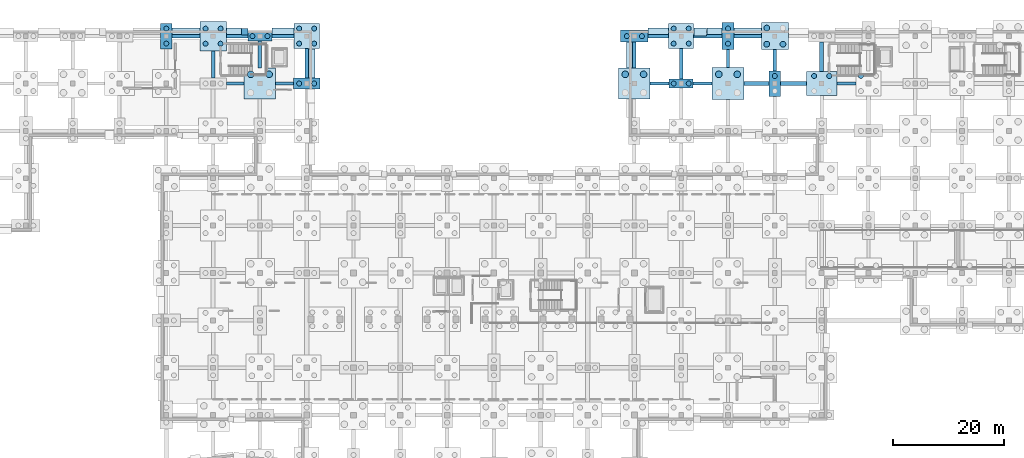
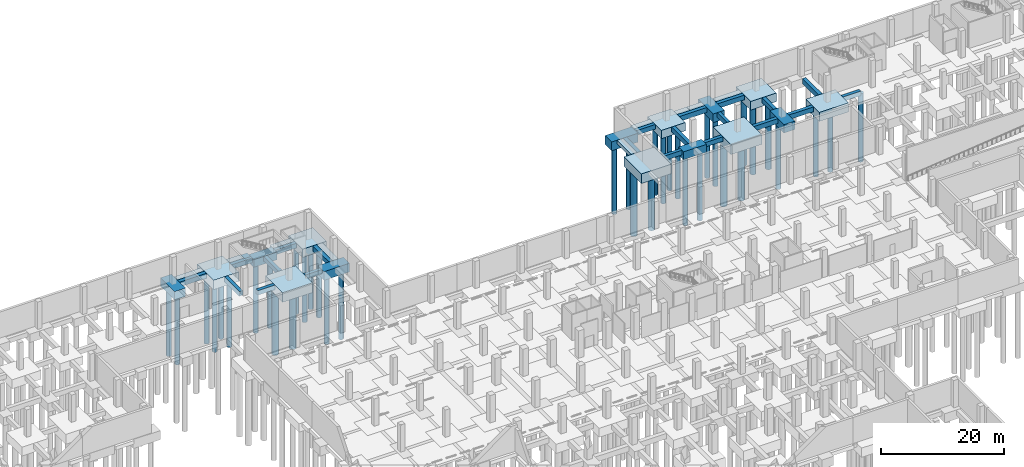
# One storey, part 21 of 34: 46 footings, 37 piles.
"""IFC4 building model written with IfcOpenShell, lengths in metres."""

import ifcopenshell
import ifcopenshell.guid

model = None  # the IFC model being written
_history = None  # IfcOwnerHistory: only IFC2X3 demands one
_inside = {}  # id of a spatial element -> (the spatial element, [elements in it])
_under = {}  # id of a project, library or spatial element -> (it, [spatial elements below it])
_declared = {}  # id of a project -> (the project, [libraries it declares])
_typed = {}  # id of a type object -> (the type object, [elements of that type])
_made_of = {}  # id of a material, layer set ... -> (it, [elements and type objects made of it])


def new_model(schema):
    """Start an empty IFC model of exactly this schema.

    Asked for "IFC4X3", IfcOpenShell would pick the latest addendum, in which some entities
    have other attributes; the version numbers below select the first issue.
    IFC2X3 requires an IfcOwnerHistory on every rooted entity: one is made here for all.
    """
    global model, _history
    if schema == "IFC4X3":
        model = ifcopenshell.file(schema_version=(4, 3, 0, 0))
    else:
        model = ifcopenshell.file(schema=schema)
    _inside.clear()
    _under.clear()
    _declared.clear()
    _typed.clear()
    _made_of.clear()
    _history = None
    if model.schema == "IFC2X3":
        org = make("IfcOrganization", Name="unknown")
        user = make(
            "IfcPersonAndOrganization",
            ThePerson=make("IfcPerson", FamilyName="unknown"),
            TheOrganization=org,
        )
        app = make(
            "IfcApplication",
            ApplicationDeveloper=org,
            Version="unknown",
            ApplicationFullName="unknown",
            ApplicationIdentifier="unknown",
        )
        _history = make(
            "IfcOwnerHistory",
            OwningUser=user,
            OwningApplication=app,
            ChangeAction="ADDED",
            CreationDate=0,
        )
    return model


def make(cls, **values):
    """One entity of the class cls with the attributes given. An attribute that is None is left unset."""
    return model.create_entity(
        cls, **{name: value for name, value in values.items() if value is not None}
    )


def rooted(cls, **values):
    """An entity with a GlobalId (a new one), such as an element, a storey or a relation."""
    return make(cls, GlobalId=ifcopenshell.guid.new(), OwnerHistory=_history, **values)


def si_unit(unit_type, name, prefix=None):
    """IfcSIUnit, for example si_unit("LENGTHUNIT", "METRE", prefix="MILLI")."""
    return make("IfcSIUnit", UnitType=unit_type, Prefix=prefix, Name=name)


def assignment(units):
    """IfcUnitAssignment: the units of a project."""
    return None if units is None else make("IfcUnitAssignment", Units=units)


def point(xyz):
    """IfcCartesianPoint."""
    return None if xyz is None else make("IfcCartesianPoint", Coordinates=xyz)


def direction(xyz):
    """IfcDirection."""
    return None if xyz is None else make("IfcDirection", DirectionRatios=xyz)


def frame(location, z_axis=None, x_axis=None):
    """IfcAxis2Placement3D, a coordinate frame: its origin and axes. An axis left out is left unset."""
    return make(
        "IfcAxis2Placement3D",
        Location=point(location),
        Axis=direction(z_axis),
        RefDirection=direction(x_axis),
    )


def frame_2d(location, x_axis=None):
    """IfcAxis2Placement2D, a coordinate frame in the plane: its origin and x axis."""
    return make(
        "IfcAxis2Placement2D", Location=point(location), RefDirection=direction(x_axis)
    )


def origin():
    """The frame at (0, 0, 0) with its axes left unset."""
    return frame((0.0, 0.0, 0.0))


def origin_2d():
    """The frame at (0, 0) in the plane with its x axis left unset."""
    return frame_2d((0.0, 0.0))


def place(relative_to, where):
    """IfcLocalPlacement: puts the frame where relative to a parent placement (None: the world)."""
    return make(
        "IfcLocalPlacement", PlacementRelTo=relative_to, RelativePlacement=where
    )


def context(
    kind, dimensions, precision=None, world=None, true_north=None, identifier=None
):
    """IfcGeometricRepresentationContext, for example the 3D "Model" context."""
    return make(
        "IfcGeometricRepresentationContext",
        ContextIdentifier=identifier,
        ContextType=kind,
        CoordinateSpaceDimension=dimensions,
        Precision=precision,
        WorldCoordinateSystem=world,
        TrueNorth=true_north,
    )


def subcontext(parent, identifier, kind, view, scale=None):
    """IfcGeometricRepresentationSubContext, for example "Body" below "Model"."""
    return make(
        "IfcGeometricRepresentationSubContext",
        ContextIdentifier=identifier,
        ContextType=kind,
        ParentContext=parent,
        TargetScale=scale,
        TargetView=view,
    )


def project(units=None, contexts=None):
    """IfcProject with its units and contexts."""
    return rooted(
        "IfcProject",
        Name="project",
        RepresentationContexts=contexts,
        UnitsInContext=assignment(units),
    )


def spatial(cls, under=None, at=None, **own):
    """A site, building, storey or space (cls), placed at a placement, below another one or the project."""
    s = rooted(cls, ObjectPlacement=at, **own)
    if under is not None:
        _under.setdefault(under.id(), (under, []))[1].append(s)
    return s


def profile(cls, at=None, kind="AREA", **sizes):
    """A parametric profile (cls). Its sizes go by their IFC names, for example OverallWidth=200.0."""
    return make(cls, ProfileType=kind, Position=at, **sizes)


def rectangle(**sizes):
    """IfcRectangleProfileDef."""
    return profile("IfcRectangleProfileDef", **sizes)


def circle(**sizes):
    """IfcCircleProfileDef."""
    return profile("IfcCircleProfileDef", **sizes)


def extrude(swept, where, along, depth):
    """IfcExtrudedAreaSolid: the profile swept, set in the frame where, extruded along a direction by depth."""
    return make(
        "IfcExtrudedAreaSolid",
        SweptArea=swept,
        Position=where,
        ExtrudedDirection=direction(along),
        Depth=depth,
    )


def shape(context_of_items, identifier, shape_type, items):
    """IfcShapeRepresentation: the items that make up one representation, for example the "Body"."""
    return make(
        "IfcShapeRepresentation",
        ContextOfItems=context_of_items,
        RepresentationIdentifier=identifier,
        RepresentationType=shape_type,
        Items=items,
    )


def material(Name=None, Category=None):
    """IfcMaterial."""
    return make("IfcMaterial", Name=Name, Category=Category)


def material_profile(
    of_material, cross_section, Name=None, Category=None, Priority=None
):
    """IfcMaterialProfile: a cross section and its material."""
    return make(
        "IfcMaterialProfile",
        Name=Name,
        Material=of_material,
        Profile=cross_section,
        Priority=Priority,
        Category=Category,
    )


def profile_set(profiles, Name=None, composite=None):
    """IfcMaterialProfileSet."""
    return make(
        "IfcMaterialProfileSet",
        Name=Name,
        MaterialProfiles=profiles,
        CompositeProfile=composite,
    )


def made_of(thing, what):
    """Note that an element or type object is made of a material, layer set ...; save() writes the relation."""
    if what is not None:
        _made_of.setdefault(what.id(), (what, []))[1].append(thing)
    return thing


def type_object(cls, material=None, **own):
    """A type object (cls), such as IfcWallType, which elements share."""
    return made_of(rooted(cls, **own), material)


def element(
    cls,
    number,
    at=None,
    inside=None,
    cuts=None,
    type_object=None,
    material=None,
    context=None,
    identifier="Body",
    shape_type=None,
    held_by="IfcProductDefinitionShape",
    body=None,
    shapes=None,
    **own,
):
    """One element of the class cls, such as IfcWall. Its Tag is "e" and its number.

    at: its placement. inside: the storey or other place that contains it. cuts: it is an
    opening in that element (IfcRelVoidsElement). A single representation is given by context,
    identifier, shape_type and body (its items); several are given by shapes. held_by: the class
    of the entity that holds the representations. save() writes the other relations.
    """
    e = rooted(cls, Tag="e%d" % number, ObjectPlacement=at, **own)
    if body is not None:
        shapes = [shape(context, identifier, shape_type, body)]
    if shapes is not None:
        e.Representation = make(held_by, Representations=shapes)
    if inside is not None:
        _inside.setdefault(inside.id(), (inside, []))[1].append(e)
    if cuts is not None:
        rooted(
            "IfcRelVoidsElement", RelatingBuildingElement=cuts, RelatedOpeningElement=e
        )
    if type_object is not None:
        _typed.setdefault(type_object.id(), (type_object, []))[1].append(e)
    return made_of(e, material)


def aggregate(whole, parts):
    """IfcRelAggregates: a whole, such as a stair, and the parts it consists of."""
    return rooted("IfcRelAggregates", RelatingObject=whole, RelatedObjects=parts)


def save(model, path):
    """Write the relations noted so far, then the file.

    IfcRelAggregates (storeys below a building ...), IfcRelContainedInSpatialStructure (elements
    in a storey), IfcRelDefinesByType, IfcRelAssociatesMaterial and IfcRelDeclares: one each for
    every whole, place, type object, material and project.
    """
    for whole, parts in _under.values():
        aggregate(whole, parts)
    for where, things in _inside.values():
        rooted(
            "IfcRelContainedInSpatialStructure",
            RelatedElements=things,
            RelatingStructure=where,
        )
    for kind, things in _typed.values():
        rooted("IfcRelDefinesByType", RelatedObjects=things, RelatingType=kind)
    for what, things in _made_of.values():
        rooted("IfcRelAssociatesMaterial", RelatedObjects=things, RelatingMaterial=what)
    for by, libraries in _declared.values():
        rooted("IfcRelDeclares", RelatingContext=by, RelatedDefinitions=libraries)
    model.write(path)


model = new_model("IFC4")

# Units and contexts
model_context = context("Model", 3, precision=1e-05, world=origin(), true_north=direction((0.0, 1.0)))
body_context = subcontext(model_context, "Body", "Model", "MODEL_VIEW")
ifc_project = project(units=[si_unit("LENGTHUNIT", "METRE"), si_unit("AREAUNIT", "SQUARE_METRE"), si_unit("VOLUMEUNIT", "CUBIC_METRE"), si_unit("PLANEANGLEUNIT", "RADIAN"), si_unit("MASSUNIT", "GRAM", prefix="KILO")], contexts=[model_context])

# Site, building, storey
site_placement = place(None, origin())
site = spatial("IfcSite", under=ifc_project, at=site_placement, CompositionType="ELEMENT")
building_placement = place(site_placement, origin())
building = spatial("IfcBuilding", under=site, at=building_placement, Name="Solvento Point Concert Hall", CompositionType="ELEMENT")
storey_placement = place(building_placement, frame((0.0, 0.0, -5.39990234375)))
storey = spatial("IfcBuildingStorey", under=building, at=storey_placement, Name="B01", CompositionType="ELEMENT", Elevation=-5.39990234375)

# Piles
ifc_material_1 = material(Name="Concrete C40/50", Category="concrete")
ifc_material_profile_1 = material_profile(ifc_material_1, circle(Radius=0.52490234375, at=origin_2d()), Name="BP-1050")
ifc_profile_set_1 = profile_set([ifc_material_profile_1], Name="Concrete C40/50")
pile_type_1 = type_object("IfcPileType", Name="BoredPile_1050", PredefinedType="BORED", material=ifc_profile_set_1)
for number, where, z_axis, x_axis, name in (
    (1, (156.949951171875, 134.550048828125, -1.6201171875), (0.0, 0.0, -1.0), (1.0, 0.0, 0.0), "Bored pile BoredPile_1050 #589"),
    (2, (159.85009765625, 134.550048828125, -1.6201171875), (0.0, 0.0, -1.0), (1.0, 0.0, 0.0), "Bored pile BoredPile_1050 #590"),
    (3, (156.949951171875, 137.449951171875, -1.6201171875), (0.0, 0.0, -1.0), (1.0, 0.0, 0.0), "Bored pile BoredPile_1050 #591"),
):
    element("IfcPile", number, at=place(storey_placement, frame(where, z_axis=z_axis, x_axis=x_axis)), inside=storey, type_object=pile_type_1, Name=name, PredefinedType="BORED", context=body_context, shape_type="SweptSolid", body=[
        extrude(circle(Radius=0.52490234375, at=origin_2d()), origin(), (0.0, 0.0, 1.0), 13.47998046875),
    ])
ifc_material_2 = material(Name="Concrete C40/50", Category="concrete")
ifc_material_profile_2 = material_profile(ifc_material_2, circle(Radius=0.60009765625, at=origin_2d()), Name="BP-1200")
ifc_profile_set_2 = profile_set([ifc_material_profile_2], Name="Concrete C40/50")
pile_type_2 = type_object("IfcPileType", Name="BoredPile_1200", PredefinedType="BORED", material=ifc_profile_set_2)
for number, where, z_axis, x_axis, name in (
    (4, (64.35009765625, 129.14990234375, -1.800048828125), (0.0, 0.0, -1.0), (1.0, 0.0, 0.0), "Bored pile BoredPile_1200 #255"),
    (5, (67.64990234375, 129.14990234375, -1.800048828125), (0.0, 0.0, -1.0), (1.0, 0.0, 0.0), "Bored pile BoredPile_1200 #256"),
    (6, (131.550048828125, 129.14990234375, -1.800048828125), (0.0, 0.0, -1.0), (1.0, 0.0, 0.0), "Bored pile BoredPile_1200 #471"),
    (7, (134.85009765625, 129.14990234375, -1.800048828125), (0.0, 0.0, -1.0), (1.0, 0.0, 0.0), "Bored pile BoredPile_1200 #472"),
):
    element("IfcPile", number, at=place(storey_placement, frame(where, z_axis=z_axis, x_axis=x_axis)), inside=storey, type_object=pile_type_2, Name=name, PredefinedType="BORED", context=body_context, shape_type="SweptSolid", body=[
        extrude(circle(Radius=0.60009765625, at=origin_2d()), origin(), (0.0, 0.0, 1.0), 13.300048828125),
    ])
for number, where, z_axis, x_axis, name in (
    (8, (148.35009765625, 129.14990234375, -1.85009765625), (0.0, 0.0, -1.0), (1.0, 0.0, 0.0), "Bored pile BoredPile_1200 #549"),
    (9, (151.64990234375, 129.14990234375, -1.85009765625), (0.0, 0.0, -1.0), (1.0, 0.0, 0.0), "Bored pile BoredPile_1200 #550"),
):
    element("IfcPile", number, at=place(storey_placement, frame(where, z_axis=z_axis, x_axis=x_axis)), inside=storey, type_object=pile_type_2, Name=name, PredefinedType="BORED", context=body_context, shape_type="SweptSolid", body=[
        extrude(circle(Radius=0.60009765625, at=origin_2d()), origin(), (0.0, 0.0, 1.0), 13.25),
    ])
ifc_material_3 = material(Name="Concrete C40/50", Category="concrete")
ifc_material_profile_3 = material_profile(ifc_material_3, circle(Radius=0.449951171875, at=origin_2d()), Name="BP-900")
ifc_profile_set_3 = profile_set([ifc_material_profile_3], Name="Concrete C40/50")
pile_type_3 = type_object("IfcPileType", Name="BoredPile_900", PredefinedType="BORED", material=ifc_profile_set_3)
for number, where, z_axis, x_axis, name in (
    (10, (49.199951171875, 134.64990234375, -1.56005859375), (0.0, 0.0, -1.0), (1.0, 0.0, 0.0), "Bored pile BoredPile_900 #167"),
    (11, (49.199951171875, 137.35009765625, -1.56005859375), (0.0, 0.0, -1.0), (1.0, 0.0, 0.0), "Bored pile BoredPile_900 #168"),
):
    element("IfcPile", number, at=place(storey_placement, frame(where, z_axis=z_axis, x_axis=x_axis)), inside=storey, type_object=pile_type_3, Name=name, PredefinedType="BORED", context=body_context, shape_type="SweptSolid", body=[
        extrude(circle(Radius=0.449951171875, at=origin_2d()), origin(), (0.0, 0.0, 1.0), 13.5400390625),
    ])
for number, where, z_axis, x_axis, name in (
    (12, (56.25, 134.64990234375, -1.760009765625), (0.0, 0.0, -1.0), (1.0, 0.0, 0.0), "Bored pile BoredPile_900 #211"),
    (13, (58.949951171875, 134.64990234375, -1.760009765625), (0.0, 0.0, -1.0), (1.0, 0.0, 0.0), "Bored pile BoredPile_900 #212"),
    (14, (56.25, 137.35009765625, -1.760009765625), (0.0, 0.0, -1.0), (1.0, 0.0, 0.0), "Bored pile BoredPile_900 #213"),
    (15, (58.949951171875, 137.35009765625, -1.760009765625), (0.0, 0.0, -1.0), (1.0, 0.0, 0.0), "Bored pile BoredPile_900 #214"),
):
    element("IfcPile", number, at=place(storey_placement, frame(where, z_axis=z_axis, x_axis=x_axis)), inside=storey, type_object=pile_type_3, Name=name, PredefinedType="BORED", context=body_context, shape_type="SweptSolid", body=[
        extrude(circle(Radius=0.449951171875, at=origin_2d()), origin(), (0.0, 0.0, 1.0), 13.340087890625),
    ])
for number, where, z_axis, x_axis, name in (
    (16, (64.64990234375, 136.0, -1.4501953125), (0.0, 0.0, -1.0), (1.0, 0.0, 0.0), "Bored pile BoredPile_900 #257"),
    (17, (67.35009765625, 136.0, -1.4501953125), (0.0, 0.0, -1.0), (1.0, 0.0, 0.0), "Bored pile BoredPile_900 #258"),
):
    element("IfcPile", number, at=place(storey_placement, frame(where, z_axis=z_axis, x_axis=x_axis)), inside=storey, type_object=pile_type_3, Name=name, PredefinedType="BORED", context=body_context, shape_type="SweptSolid", body=[
        extrude(circle(Radius=0.449951171875, at=origin_2d()), origin(), (0.0, 0.0, 1.0), 13.64990234375),
    ])
for number, where, z_axis, x_axis, name in (
    (18, (73.050048828125, 127.5, -1.60009765625), (0.0, 0.0, -1.0), (1.0, 0.0, 0.0), "Bored pile BoredPile_900 #293"),
    (19, (75.75, 127.5, -1.60009765625), (0.0, 0.0, -1.0), (1.0, 0.0, 0.0), "Bored pile BoredPile_900 #294"),
):
    element("IfcPile", number, at=place(storey_placement, frame(where, z_axis=z_axis, x_axis=x_axis)), inside=storey, type_object=pile_type_3, Name=name, PredefinedType="BORED", context=body_context, shape_type="SweptSolid", body=[
        extrude(circle(Radius=0.449951171875, at=origin_2d()), origin(), (0.0, 0.0, 1.0), 13.5),
    ])
for number, where, z_axis, x_axis, name in (
    (20, (73.050048828125, 134.64990234375, -1.550048828125), (0.0, 0.0, -1.0), (1.0, 0.0, 0.0), "Bored pile BoredPile_900 #295"),
    (21, (75.75, 134.64990234375, -1.550048828125), (0.0, 0.0, -1.0), (1.0, 0.0, 0.0), "Bored pile BoredPile_900 #296"),
    (22, (73.050048828125, 137.35009765625, -1.550048828125), (0.0, 0.0, -1.0), (1.0, 0.0, 0.0), "Bored pile BoredPile_900 #297"),
    (23, (75.75, 137.35009765625, -1.550048828125), (0.0, 0.0, -1.0), (1.0, 0.0, 0.0), "Bored pile BoredPile_900 #298"),
):
    element("IfcPile", number, at=place(storey_placement, frame(where, z_axis=z_axis, x_axis=x_axis)), inside=storey, type_object=pile_type_3, Name=name, PredefinedType="BORED", context=body_context, shape_type="SweptSolid", body=[
        extrude(circle(Radius=0.449951171875, at=origin_2d()), origin(), (0.0, 0.0, 1.0), 13.550048828125),
    ])
for number, where, z_axis, x_axis, name in (
    (24, (131.85009765625, 136.0, -1.650146484375), (0.0, 0.0, -1.0), (1.0, 0.0, 0.0), "Bored pile BoredPile_900 #473"),
    (25, (134.550048828125, 136.0, -1.650146484375), (0.0, 0.0, -1.0), (1.0, 0.0, 0.0), "Bored pile BoredPile_900 #474"),
):
    element("IfcPile", number, at=place(storey_placement, frame(where, z_axis=z_axis, x_axis=x_axis)), inside=storey, type_object=pile_type_3, Name=name, PredefinedType="BORED", context=body_context, shape_type="SweptSolid", body=[
        extrude(circle(Radius=0.449951171875, at=origin_2d()), origin(), (0.0, 0.0, 1.0), 13.449951171875),
    ])
for number, where, z_axis, x_axis, name in (
    (26, (140.25, 127.5, -1.4501953125), (0.0, 0.0, -1.0), (1.0, 0.0, 0.0), "Bored pile BoredPile_900 #509"),
    (27, (142.949951171875, 127.5, -1.4501953125), (0.0, 0.0, -1.0), (1.0, 0.0, 0.0), "Bored pile BoredPile_900 #510"),
):
    element("IfcPile", number, at=place(storey_placement, frame(where, z_axis=z_axis, x_axis=x_axis)), inside=storey, type_object=pile_type_3, Name=name, PredefinedType="BORED", context=body_context, shape_type="SweptSolid", body=[
        extrude(circle(Radius=0.449951171875, at=origin_2d()), origin(), (0.0, 0.0, 1.0), 13.64990234375),
    ])
for number, where, z_axis, x_axis, name in (
    (28, (140.25, 134.64990234375, -1.550048828125), (0.0, 0.0, -1.0), (1.0, 0.0, 0.0), "Bored pile BoredPile_900 #511"),
    (29, (142.949951171875, 134.64990234375, -1.550048828125), (0.0, 0.0, -1.0), (1.0, 0.0, 0.0), "Bored pile BoredPile_900 #512"),
    (30, (140.25, 137.35009765625, -1.550048828125), (0.0, 0.0, -1.0), (1.0, 0.0, 0.0), "Bored pile BoredPile_900 #513"),
    (31, (142.949951171875, 137.35009765625, -1.550048828125), (0.0, 0.0, -1.0), (1.0, 0.0, 0.0), "Bored pile BoredPile_900 #514"),
):
    element("IfcPile", number, at=place(storey_placement, frame(where, z_axis=z_axis, x_axis=x_axis)), inside=storey, type_object=pile_type_3, Name=name, PredefinedType="BORED", context=body_context, shape_type="SweptSolid", body=[
        extrude(circle(Radius=0.449951171875, at=origin_2d()), origin(), (0.0, 0.0, 1.0), 13.550048828125),
    ])
for number, where, z_axis, x_axis, name in (
    (32, (150.0, 134.64990234375, -1.6201171875), (0.0, 0.0, -1.0), (1.0, 0.0, 0.0), "Bored pile BoredPile_900 #551"),
    (33, (150.0, 137.35009765625, -1.6201171875), (0.0, 0.0, -1.0), (1.0, 0.0, 0.0), "Bored pile BoredPile_900 #552"),
):
    element("IfcPile", number, at=place(storey_placement, frame(where, z_axis=z_axis, x_axis=x_axis)), inside=storey, type_object=pile_type_3, Name=name, PredefinedType="BORED", context=body_context, shape_type="SweptSolid", body=[
        extrude(circle(Radius=0.449951171875, at=origin_2d()), origin(), (0.0, 0.0, 1.0), 13.47998046875),
    ])
pile_1_placement = place(storey_placement, frame((158.39990234375, 128.85009765625, -1.56005859375), z_axis=(0.0, 0.0, -1.0), x_axis=(1.0, 0.0, 0.0)))
element("IfcPile", 34, at=pile_1_placement, inside=storey, type_object=pile_type_3, Name="Bored pile BoredPile_900 #588", PredefinedType="BORED", context=body_context, shape_type="SweptSolid", body=[
    extrude(circle(Radius=0.449951171875, at=origin_2d()), origin(), (0.0, 0.0, 1.0), 13.5400390625),
])
for number, where, z_axis, x_axis, name in (
    (35, (165.449951171875, 128.85009765625, -1.68017578125), (0.0, 0.0, -1.0), (1.0, 0.0, 0.0), "Bored pile BoredPile_900 #627"),
    (36, (168.14990234375, 128.85009765625, -1.68017578125), (0.0, 0.0, -1.0), (1.0, 0.0, 0.0), "Bored pile BoredPile_900 #628"),
):
    element("IfcPile", number, at=place(storey_placement, frame(where, z_axis=z_axis, x_axis=x_axis)), inside=storey, type_object=pile_type_3, Name=name, PredefinedType="BORED", context=body_context, shape_type="SweptSolid", body=[
        extrude(circle(Radius=0.449951171875, at=origin_2d()), origin(), (0.0, 0.0, 1.0), 13.419921875),
    ])
pile_2_placement = place(storey_placement, frame((173.85009765625, 128.85009765625, -1.550048828125), z_axis=(0.0, 0.0, -1.0), x_axis=(1.0, 0.0, 0.0)))
element("IfcPile", 37, at=pile_2_placement, inside=storey, type_object=pile_type_3, Name="Bored pile BoredPile_900 #657", PredefinedType="BORED", context=body_context, shape_type="SweptSolid", body=[
    extrude(circle(Radius=0.449951171875, at=origin_2d()), origin(), (0.0, 0.0, 1.0), 13.550048828125),
])

# Footings
ifc_material_4 = material(Name="Concrete C40/50", Category="concrete")
footing_type_1 = type_object("IfcFootingType", Name="PileCap_2A", PredefinedType="PILE_CAP", material=ifc_material_4)
for number, where, z_axis, x_axis, name in (
    (38, (66.0, 136.0, -1.55029296875), (0.0, 0.0, 1.0), (1.0, 0.0, 0.0), "Pile cap PC-2A at G-09-S"),
    (39, (141.60009765625, 127.5, -1.55029296875), (0.0, 0.0, 1.0), (1.0, 0.0, 0.0), "Pile cap PC-2A at G-18-R"),
):
    element("IfcFooting", number, at=place(storey_placement, frame(where, z_axis=z_axis, x_axis=x_axis)), inside=storey, type_object=footing_type_1, Name=name, PredefinedType="PILE_CAP", context=body_context, shape_type="SweptSolid", body=[
        extrude(rectangle(XDim=4.300048828125, YDim=1.64990234375, at=origin_2d()), origin(), (0.0, 0.0, 1.0), 1.550048828125),
    ])
ifc_material_5 = material(Name="Concrete C40/50", Category="concrete")
footing_type_2 = type_object("IfcFootingType", Name="PileCap_2G", PredefinedType="PILE_CAP", material=ifc_material_5)
footing_1_placement = place(storey_placement, frame((74.39990234375, 127.5, -1.7001953125), z_axis=(0.0, 0.0, 1.0), x_axis=(1.0, 0.0, 0.0)))
element("IfcFooting", 40, at=footing_1_placement, inside=storey, type_object=footing_type_2, Name="Pile cap PC-2G at G-10-R", PredefinedType="PILE_CAP", context=body_context, shape_type="SweptSolid", body=[
    extrude(rectangle(XDim=4.780029296875, YDim=2.02001953125, at=origin_2d()), origin(), (0.0, 0.0, 1.0), 1.699951171875),
])
ifc_material_6 = material(Name="Concrete C40/50", Category="concrete")
footing_type_3 = type_object("IfcFootingType", Name="PileCap_2H", PredefinedType="PILE_CAP", material=ifc_material_6)
footing_2_placement = place(storey_placement, frame((150.0, 136.0, -1.72021484375), z_axis=(0.0, 0.0, 1.0), x_axis=(1.0, 0.0, 0.0)))
element("IfcFooting", 41, at=footing_2_placement, inside=storey, type_object=footing_type_3, Name="Pile cap PC-2H at G-19-S", PredefinedType="PILE_CAP", context=body_context, shape_type="SweptSolid", body=[
    extrude(rectangle(XDim=2.080078125, YDim=4.860107421875, at=origin_2d()), origin(), (0.0, 0.0, 1.0), 1.719970703125),
])
ifc_material_7 = material(Name="Concrete C40/50", Category="concrete")
footing_type_4 = type_object("IfcFootingType", Name="PileCap_2J", PredefinedType="PILE_CAP", material=ifc_material_7)
footing_3_placement = place(storey_placement, frame((133.199951171875, 136.0, -1.75), z_axis=(0.0, 0.0, 1.0), x_axis=(1.0, 0.0, 0.0)))
element("IfcFooting", 42, at=footing_3_placement, inside=storey, type_object=footing_type_4, Name="Pile cap PC-2J at G-17-S", PredefinedType="PILE_CAP", context=body_context, shape_type="SweptSolid", body=[
    extrude(rectangle(XDim=4.93994140625, YDim=2.139892578125, at=origin_2d()), origin(), (0.0, 0.0, 1.0), 1.75),
])
ifc_material_8 = material(Name="Concrete C40/50", Category="concrete")
footing_type_5 = type_object("IfcFootingType", Name="PileCap_2P", PredefinedType="PILE_CAP", material=ifc_material_8)
for number, where, z_axis, x_axis, name in (
    (43, (49.199951171875, 136.0, -1.66015625), (0.0, 0.0, 1.0), (1.0, 0.0, 0.0), "Pile cap PC-2P at G-07-S"),
    (44, (158.39990234375, 127.5, -1.66015625), (0.0, 0.0, 1.0), (1.0, 0.0, 0.0), "Pile cap PC-2P at G-20-R"),
):
    element("IfcFooting", number, at=place(storey_placement, frame(where, z_axis=z_axis, x_axis=x_axis)), inside=storey, type_object=footing_type_5, Name=name, PredefinedType="PILE_CAP", context=body_context, shape_type="SweptSolid", body=[
        extrude(rectangle(XDim=2.050048828125, YDim=4.580078125, at=origin_2d()), origin(), (0.0, 0.0, 1.0), 1.659912109375),
    ])
ifc_material_9 = material(Name="Concrete C40/50", Category="concrete")
footing_type_6 = type_object("IfcFootingType", Name="PileCap_4B", PredefinedType="PILE_CAP", material=ifc_material_9)
for number, where, z_axis, x_axis, name in (
    (45, (74.39990234375, 136.0, -1.650146484375), (0.0, 0.0, 1.0), (1.0, 0.0, 0.0), "Pile cap PC-4B at G-10-S"),
    (46, (141.60009765625, 136.0, -1.650146484375), (0.0, 0.0, 1.0), (1.0, 0.0, 0.0), "Pile cap PC-4B at G-18-S"),
):
    element("IfcFooting", number, at=place(storey_placement, frame(where, z_axis=z_axis, x_axis=x_axis)), inside=storey, type_object=footing_type_6, Name=name, PredefinedType="PILE_CAP", context=body_context, shape_type="SweptSolid", body=[
        extrude(rectangle(XDim=4.5, YDim=4.5, at=origin_2d()), origin(), (0.0, 0.0, 1.0), 1.64990234375),
    ])
ifc_material_10 = material(Name="Concrete C40/50", Category="concrete")
footing_type_7 = type_object("IfcFootingType", Name="PileCap_4C", PredefinedType="PILE_CAP", material=ifc_material_10)
footing_4_placement = place(storey_placement, frame((158.39990234375, 136.0, -1.72021484375), z_axis=(0.0, 0.0, 1.0), x_axis=(1.0, 0.0, 0.0)))
element("IfcFooting", 47, at=footing_4_placement, inside=storey, type_object=footing_type_7, Name="Pile cap PC-4C at G-20-S", PredefinedType="PILE_CAP", context=body_context, shape_type="SweptSolid", body=[
    extrude(rectangle(XDim=4.820068359375, YDim=4.820068359375, at=origin_2d()), origin(), (0.0, 0.0, 1.0), 1.719970703125),
])
ifc_material_11 = material(Name="Concrete C40/50", Category="concrete")
footing_type_8 = type_object("IfcFootingType", Name="PileCap_4G", PredefinedType="PILE_CAP", material=ifc_material_11)
for number, where, z_axis, x_axis, name in (
    (48, (66.0, 127.5, -1.900146484375), (0.0, 0.0, 1.0), (1.0, 0.0, 0.0), "Pile cap PC-4G at G-09-R"),
    (49, (133.199951171875, 127.5, -1.900146484375), (0.0, 0.0, 1.0), (1.0, 0.0, 0.0), "Pile cap PC-4G at G-17-R"),
):
    element("IfcFooting", number, at=place(storey_placement, frame(where, z_axis=z_axis, x_axis=x_axis)), inside=storey, type_object=footing_type_8, Name=name, PredefinedType="PILE_CAP", context=body_context, shape_type="SweptSolid", body=[
        extrude(rectangle(XDim=5.6201171875, YDim=5.6201171875, at=origin_2d()), origin(), (0.0, 0.0, 1.0), 1.89990234375),
    ])
ifc_material_12 = material(Name="Concrete C40/50", Category="concrete")
footing_type_9 = type_object("IfcFootingType", Name="PileCap_4H", PredefinedType="PILE_CAP", material=ifc_material_12)
footing_5_placement = place(storey_placement, frame((150.0, 127.5, -1.9501953125), z_axis=(0.0, 0.0, 1.0), x_axis=(1.0, 0.0, 0.0)))
element("IfcFooting", 50, at=footing_5_placement, inside=storey, type_object=footing_type_9, Name="Pile cap PC-4H at G-19-R", PredefinedType="PILE_CAP", context=body_context, shape_type="SweptSolid", body=[
    extrude(rectangle(XDim=5.800048828125, YDim=5.800048828125, at=origin_2d()), origin(), (0.0, 0.0, 1.0), 1.949951171875),
])
ifc_material_13 = material(Name="Concrete C40/50", Category="concrete")
footing_type_10 = type_object("IfcFootingType", Name="PileCap_4J", PredefinedType="PILE_CAP", material=ifc_material_13)
footing_6_placement = place(storey_placement, frame((166.800048828125, 127.5, -1.7802734375), z_axis=(0.0, 0.0, 1.0), x_axis=(1.0, 0.0, 0.0)))
element("IfcFooting", 51, at=footing_6_placement, inside=storey, type_object=footing_type_10, Name="Pile cap PC-4J at G-21-R", PredefinedType="PILE_CAP", context=body_context, shape_type="SweptSolid", body=[
    extrude(rectangle(XDim=5.4599609375, YDim=4.360107421875, at=origin_2d()), origin(), (0.0, 0.0, 1.0), 1.780029296875),
])
ifc_material_14 = material(Name="Concrete C40/50", Category="concrete")
footing_type_11 = type_object("IfcFootingType", Name="PileCap_4M", PredefinedType="PILE_CAP", material=ifc_material_14)
footing_7_placement = place(storey_placement, frame((57.60009765625, 136.0, -1.8603515625), z_axis=(0.0, 0.0, 1.0), x_axis=(1.0, 0.0, 0.0)))
element("IfcFooting", 52, at=footing_7_placement, inside=storey, type_object=footing_type_11, Name="Pile cap PC-4M at G-08-S", PredefinedType="PILE_CAP", context=body_context, shape_type="SweptSolid", body=[
    extrude(rectangle(XDim=4.739990234375, YDim=5.300048828125, at=origin_2d()), origin(), (0.0, 0.0, 1.0), 1.860107421875),
])
ifc_material_15 = material(Name="Concrete C40/50", Category="concrete")
footing_type_12 = type_object("IfcFootingType", Name="StripFooting_1400x700", PredefinedType="STRIP_FOOTING", material=ifc_material_15)
footing_8_placement = place(storey_placement, frame((52.7275390625, 136.7548828125, -0.7001953125), z_axis=(0.0, 0.0, 1.0), x_axis=(1.0, 0.0, 0.0)))
element("IfcFooting", 53, at=footing_8_placement, inside=storey, type_object=footing_type_12, Name="Strip footing SF-02", PredefinedType="STRIP_FOOTING", context=body_context, shape_type="SweptSolid", body=[
    extrude(rectangle(XDim=4.985107421875, YDim=1.39990234375, at=origin_2d()), origin(), (0.0, 0.0, 1.0), 0.699951171875),
])
footing_9_placement = place(storey_placement, frame((61.316650390625, 136.7548828125, -0.7001953125), z_axis=(0.0, 0.0, 1.0), x_axis=(1.0, 0.0, 0.0)))
element("IfcFooting", 54, at=footing_9_placement, inside=storey, type_object=footing_type_12, Name="Strip footing SF-02", PredefinedType="STRIP_FOOTING", context=body_context, shape_type="SweptSolid", body=[
    extrude(rectangle(XDim=2.67333984375, YDim=1.39990234375, at=origin_2d()), origin(), (0.0, 0.0, 1.0), 0.699951171875),
])
footing_10_placement = place(storey_placement, frame((63.251708984375, 136.7548828125, -0.7001953125), z_axis=(0.0, 0.0, 1.0), x_axis=(1.0, 0.0, 0.0)))
element("IfcFooting", 55, at=footing_10_placement, inside=storey, type_object=footing_type_12, Name="Strip footing SF-02", PredefinedType="STRIP_FOOTING", context=body_context, shape_type="SweptSolid", body=[
    extrude(rectangle(XDim=1.1767578125, YDim=1.1767578125, at=origin_2d()), origin(), (0.0, 0.0, 1.0), 0.699951171875),
])
footing_11_placement = place(storey_placement, frame((70.14990234375, 136.7548828125, -0.7001953125), z_axis=(0.0, 0.0, 1.0), x_axis=(1.0, 0.0, 0.0)))
element("IfcFooting", 56, at=footing_11_placement, inside=storey, type_object=footing_type_12, Name="Strip footing SF-02", PredefinedType="STRIP_FOOTING", context=body_context, shape_type="SweptSolid", body=[
    extrude(rectangle(XDim=3.97998046875, YDim=1.39990234375, at=origin_2d()), origin(), (0.0, 0.0, 1.0), 0.699951171875),
])
footing_12_placement = place(storey_placement, frame((75.155029296875, 131.1298828125, -0.7001953125), z_axis=(0.0, 0.0, 1.0), x_axis=(0.0, -1.0, 0.0)))
element("IfcFooting", 57, at=footing_12_placement, inside=storey, type_object=footing_type_12, Name="Strip footing SF-02", PredefinedType="STRIP_FOOTING", context=body_context, shape_type="SweptSolid", body=[
    extrude(rectangle(XDim=5.219970703125, YDim=1.39990234375, at=origin_2d()), origin(), (0.0, 0.0, 1.0), 0.699951171875),
])
footing_13_placement = place(storey_placement, frame((132.445068359375, 132.6201171875, -0.7001953125), z_axis=(0.0, 0.0, 1.0), x_axis=(0.0, 1.0, 0.0)))
element("IfcFooting", 58, at=footing_13_placement, inside=storey, type_object=footing_type_12, Name="Strip footing SF-02", PredefinedType="STRIP_FOOTING", context=body_context, shape_type="SweptSolid", body=[
    extrude(rectangle(XDim=4.60009765625, YDim=1.39990234375, at=origin_2d()), origin(), (0.0, 0.0, 1.0), 0.699951171875),
])
footing_14_placement = place(storey_placement, frame((137.510009765625, 136.7548828125, -0.7001953125), z_axis=(0.0, 0.0, 1.0), x_axis=(1.0, 0.0, 0.0)))
element("IfcFooting", 59, at=footing_14_placement, inside=storey, type_object=footing_type_12, Name="Strip footing SF-02", PredefinedType="STRIP_FOOTING", context=body_context, shape_type="SweptSolid", body=[
    extrude(rectangle(XDim=3.659912109375, YDim=1.39990234375, at=origin_2d()), origin(), (0.0, 0.0, 1.0), 0.699951171875),
])
footing_15_placement = place(storey_placement, frame((145.021484375, 136.7548828125, -0.7001953125), z_axis=(0.0, 0.0, 1.0), x_axis=(1.0, 0.0, 0.0)))
element("IfcFooting", 60, at=footing_15_placement, inside=storey, type_object=footing_type_12, Name="Strip footing SF-02", PredefinedType="STRIP_FOOTING", context=body_context, shape_type="SweptSolid", body=[
    extrude(rectangle(XDim=2.3232421875, YDim=1.39990234375, at=origin_2d()), origin(), (0.0, 0.0, 1.0), 0.699951171875),
])
footing_16_placement = place(storey_placement, frame((147.57177734375, 136.7548828125, -0.7001953125), z_axis=(0.0, 0.0, 1.0), x_axis=(1.0, 0.0, 0.0)))
element("IfcFooting", 61, at=footing_16_placement, inside=storey, type_object=footing_type_12, Name="Strip footing SF-02", PredefinedType="STRIP_FOOTING", context=body_context, shape_type="SweptSolid", body=[
    extrude(rectangle(XDim=2.756591796875, YDim=1.39990234375, at=origin_2d()), origin(), (0.0, 0.0, 1.0), 0.699951171875),
])
footing_17_placement = place(storey_placement, frame((153.514892578125, 136.7548828125, -0.7001953125), z_axis=(0.0, 0.0, 1.0), x_axis=(1.0, 0.0, 0.0)))
element("IfcFooting", 62, at=footing_17_placement, inside=storey, type_object=footing_type_12, Name="Strip footing SF-02", PredefinedType="STRIP_FOOTING", context=body_context, shape_type="SweptSolid", body=[
    extrude(rectangle(XDim=4.929931640625, YDim=1.39990234375, at=origin_2d()), origin(), (0.0, 0.0, 1.0), 0.699951171875),
])
ifc_material_16 = material(Name="Concrete C40/50", Category="concrete")
footing_type_13 = type_object("IfcFootingType", Name="TieBeam_600x900", PredefinedType="FOOTING_BEAM", material=ifc_material_16)
for number, where, z_axis, x_axis, name in (
    (63, (61.590087890625, 127.5, -0.900146484375), (0.0, 0.0, 1.0), (1.0, 0.0, 0.0), "Seismic tie beam GB-01"),
    (64, (70.409912109375, 127.5, -0.900146484375), (0.0, 0.0, 1.0), (1.0, 0.0, 0.0), "Seismic tie beam GB-01"),
):
    element("IfcFooting", number, at=place(storey_placement, frame(where, z_axis=z_axis, x_axis=x_axis)), inside=storey, type_object=footing_type_13, Name=name, PredefinedType="FOOTING_BEAM", context=body_context, shape_type="SweptSolid", body=[
        extrude(rectangle(XDim=3.199951171875, YDim=0.60009765625, at=origin_2d()), origin(), (0.0, 0.0, 1.0), 0.89990234375),
    ])
footing_18_placement = place(storey_placement, frame((137.72998046875, 127.5, -0.900146484375), z_axis=(0.0, 0.0, 1.0), x_axis=(1.0, 0.0, 0.0)))
element("IfcFooting", 65, at=footing_18_placement, inside=storey, type_object=footing_type_13, Name="Seismic tie beam GB-01", PredefinedType="FOOTING_BEAM", context=body_context, shape_type="SweptSolid", body=[
    extrude(rectangle(XDim=3.43994140625, YDim=0.60009765625, at=origin_2d()), origin(), (0.0, 0.0, 1.0), 0.89990234375),
])
footing_19_placement = place(storey_placement, frame((145.425048828125, 127.5, -0.900146484375), z_axis=(0.0, 0.0, 1.0), x_axis=(1.0, 0.0, 0.0)))
element("IfcFooting", 66, at=footing_19_placement, inside=storey, type_object=footing_type_13, Name="Seismic tie beam GB-01", PredefinedType="FOOTING_BEAM", context=body_context, shape_type="SweptSolid", body=[
    extrude(rectangle(XDim=3.35009765625, YDim=0.60009765625, at=origin_2d()), origin(), (0.0, 0.0, 1.0), 0.89990234375),
])
footing_20_placement = place(storey_placement, frame((171.239990234375, 127.5, -0.900146484375), z_axis=(0.0, 0.0, 1.0), x_axis=(1.0, 0.0, 0.0)))
element("IfcFooting", 67, at=footing_20_placement, inside=storey, type_object=footing_type_13, Name="Seismic tie beam GB-01", PredefinedType="FOOTING_BEAM", context=body_context, shape_type="SweptSolid", body=[
    extrude(rectangle(XDim=3.419921875, YDim=0.60009765625, at=origin_2d()), origin(), (0.0, 0.0, 1.0), 0.89990234375),
])
footing_21_placement = place(storey_placement, frame((150.0, 131.985107421875, -0.900146484375), z_axis=(0.0, 0.0, 1.0), x_axis=(0.0, 1.0, 0.0)))
element("IfcFooting", 68, at=footing_21_placement, inside=storey, type_object=footing_type_13, Name="Seismic tie beam GB-01", PredefinedType="FOOTING_BEAM", context=body_context, shape_type="SweptSolid", body=[
    extrude(rectangle(XDim=3.169921875, YDim=0.60009765625, at=origin_2d()), origin(), (0.0, 0.0, 1.0), 0.89990234375),
])
ifc_material_17 = material(Name="Concrete C40/50", Category="concrete")
footing_type_14 = type_object("IfcFootingType", Name="TieBeam_620x920", PredefinedType="FOOTING_BEAM", material=ifc_material_17)
footing_22_placement = place(storey_placement, frame((61.909912109375, 136.0, -0.920166015625), z_axis=(0.0, 0.0, 1.0), x_axis=(1.0, 0.0, 0.0)))
element("IfcFooting", 69, at=footing_22_placement, inside=storey, type_object=footing_type_14, Name="Seismic tie beam GB-02", PredefinedType="FOOTING_BEAM", context=body_context, shape_type="SweptSolid", body=[
    extrude(rectangle(XDim=3.8798828125, YDim=0.6201171875, at=origin_2d()), origin(), (0.0, 0.0, 1.0), 0.919921875),
])
footing_23_placement = place(storey_placement, frame((70.14990234375, 136.0, -0.920166015625), z_axis=(0.0, 0.0, 1.0), x_axis=(1.0, 0.0, 0.0)))
element("IfcFooting", 70, at=footing_23_placement, inside=storey, type_object=footing_type_14, Name="Seismic tie beam GB-02", PredefinedType="FOOTING_BEAM", context=body_context, shape_type="SweptSolid", body=[
    extrude(rectangle(XDim=4.0, YDim=0.6201171875, at=origin_2d()), origin(), (0.0, 0.0, 1.0), 0.919921875),
])
footing_24_placement = place(storey_placement, frame((137.510009765625, 136.0, -0.920166015625), z_axis=(0.0, 0.0, 1.0), x_axis=(1.0, 0.0, 0.0)))
element("IfcFooting", 71, at=footing_24_placement, inside=storey, type_object=footing_type_14, Name="Seismic tie beam GB-02", PredefinedType="FOOTING_BEAM", context=body_context, shape_type="SweptSolid", body=[
    extrude(rectangle(XDim=3.679931640625, YDim=0.6201171875, at=origin_2d()), origin(), (0.0, 0.0, 1.0), 0.919921875),
])
footing_25_placement = place(storey_placement, frame((158.39990234375, 131.68994140625, -0.920166015625), z_axis=(0.0, 0.0, 1.0), x_axis=(0.0, 1.0, 0.0)))
element("IfcFooting", 72, at=footing_25_placement, inside=storey, type_object=footing_type_14, Name="Seismic tie beam GB-02", PredefinedType="FOOTING_BEAM", context=body_context, shape_type="SweptSolid", body=[
    extrude(rectangle(XDim=3.800048828125, YDim=0.6201171875, at=origin_2d()), origin(), (0.0, 0.0, 1.0), 0.919921875),
])
ifc_material_18 = material(Name="Concrete C40/50", Category="concrete")
footing_type_15 = type_object("IfcFootingType", Name="TieBeam_650x950", PredefinedType="FOOTING_BEAM", material=ifc_material_18)
footing_26_placement = place(storey_placement, frame((155.137451171875, 127.5, -0.9501953125), z_axis=(0.0, 0.0, 1.0), x_axis=(1.0, 0.0, 0.0)))
element("IfcFooting", 73, at=footing_26_placement, inside=storey, type_object=footing_type_15, Name="Seismic tie beam GB-03", PredefinedType="FOOTING_BEAM", context=body_context, shape_type="SweptSolid", body=[
    extrude(rectangle(XDim=4.47509765625, YDim=0.64990234375, at=origin_2d()), origin(), (0.0, 0.0, 1.0), 0.949951171875),
])
footing_27_placement = place(storey_placement, frame((161.74755859375, 127.5, -0.9501953125), z_axis=(0.0, 0.0, 1.0), x_axis=(1.0, 0.0, 0.0)))
element("IfcFooting", 74, at=footing_27_placement, inside=storey, type_object=footing_type_15, Name="Seismic tie beam GB-03", PredefinedType="FOOTING_BEAM", context=body_context, shape_type="SweptSolid", body=[
    extrude(rectangle(XDim=4.64501953125, YDim=0.64990234375, at=origin_2d()), origin(), (0.0, 0.0, 1.0), 0.949951171875),
])
footing_28_placement = place(storey_placement, frame((153.514892578125, 136.0, -0.9501953125), z_axis=(0.0, 0.0, 1.0), x_axis=(1.0, 0.0, 0.0)))
element("IfcFooting", 75, at=footing_28_placement, inside=storey, type_object=footing_type_15, Name="Seismic tie beam GB-03", PredefinedType="FOOTING_BEAM", context=body_context, shape_type="SweptSolid", body=[
    extrude(rectangle(XDim=4.949951171875, YDim=0.64990234375, at=origin_2d()), origin(), (0.0, 0.0, 1.0), 0.949951171875),
])
footing_29_placement = place(storey_placement, frame((57.60009765625, 130.929931640625, -0.9501953125), z_axis=(0.0, 0.0, 1.0), x_axis=(0.0, 1.0, 0.0)))
element("IfcFooting", 76, at=footing_29_placement, inside=storey, type_object=footing_type_15, Name="Seismic tie beam GB-03", PredefinedType="FOOTING_BEAM", context=body_context, shape_type="SweptSolid", body=[
    extrude(rectangle(XDim=4.840087890625, YDim=0.64990234375, at=origin_2d()), origin(), (0.0, 0.0, 1.0), 0.949951171875),
])
footing_30_placement = place(storey_placement, frame((66.0, 132.742431640625, -0.9501953125), z_axis=(0.0, 0.0, 1.0), x_axis=(0.0, 1.0, 0.0)))
element("IfcFooting", 77, at=footing_30_placement, inside=storey, type_object=footing_type_15, Name="Seismic tie beam GB-03", PredefinedType="FOOTING_BEAM", context=body_context, shape_type="SweptSolid", body=[
    extrude(rectangle(XDim=4.864990234375, YDim=0.64990234375, at=origin_2d()), origin(), (0.0, 0.0, 1.0), 0.949951171875),
])
footing_31_placement = place(storey_placement, frame((133.199951171875, 132.6201171875, -0.9501953125), z_axis=(0.0, 0.0, 1.0), x_axis=(0.0, 1.0, 0.0)))
element("IfcFooting", 78, at=footing_31_placement, inside=storey, type_object=footing_type_15, Name="Seismic tie beam GB-03", PredefinedType="FOOTING_BEAM", context=body_context, shape_type="SweptSolid", body=[
    extrude(rectangle(XDim=4.6201171875, YDim=0.64990234375, at=origin_2d()), origin(), (0.0, 0.0, 1.0), 0.949951171875),
])
ifc_material_19 = material(Name="Concrete C40/50", Category="concrete")
footing_type_16 = type_object("IfcFootingType", Name="TieBeam_680x980", PredefinedType="FOOTING_BEAM", material=ifc_material_19)
footing_32_placement = place(storey_placement, frame((52.7275390625, 136.0, -0.97998046875), z_axis=(0.0, 0.0, 1.0), x_axis=(1.0, 0.0, 0.0)))
element("IfcFooting", 79, at=footing_32_placement, inside=storey, type_object=footing_type_16, Name="Seismic tie beam GB-04", PredefinedType="FOOTING_BEAM", context=body_context, shape_type="SweptSolid", body=[
    extrude(rectangle(XDim=5.0048828125, YDim=0.679931640625, at=origin_2d()), origin(), (0.0, 0.0, 1.0), 0.97998046875),
])
footing_33_placement = place(storey_placement, frame((146.405029296875, 136.0, -0.97998046875), z_axis=(0.0, 0.0, 1.0), x_axis=(1.0, 0.0, 0.0)))
element("IfcFooting", 80, at=footing_33_placement, inside=storey, type_object=footing_type_16, Name="Seismic tie beam GB-04", PredefinedType="FOOTING_BEAM", context=body_context, shape_type="SweptSolid", body=[
    extrude(rectangle(XDim=5.110107421875, YDim=0.679931640625, at=origin_2d()), origin(), (0.0, 0.0, 1.0), 0.97998046875),
])
footing_34_placement = place(storey_placement, frame((74.39990234375, 131.1298828125, -0.97998046875), z_axis=(0.0, 0.0, 1.0), x_axis=(0.0, 1.0, 0.0)))
element("IfcFooting", 81, at=footing_34_placement, inside=storey, type_object=footing_type_16, Name="Seismic tie beam GB-04", PredefinedType="FOOTING_BEAM", context=body_context, shape_type="SweptSolid", body=[
    extrude(rectangle(XDim=5.239990234375, YDim=0.679931640625, at=origin_2d()), origin(), (0.0, 0.0, 1.0), 0.97998046875),
])
footing_35_placement = place(storey_placement, frame((141.60009765625, 131.03759765625, -0.97998046875), z_axis=(0.0, 0.0, 1.0), x_axis=(0.0, 1.0, 0.0)))
element("IfcFooting", 82, at=footing_35_placement, inside=storey, type_object=footing_type_16, Name="Seismic tie beam GB-04", PredefinedType="FOOTING_BEAM", context=body_context, shape_type="SweptSolid", body=[
    extrude(rectangle(XDim=5.425048828125, YDim=0.679931640625, at=origin_2d()), origin(), (0.0, 0.0, 1.0), 0.97998046875),
])
footing_36_placement = place(storey_placement, frame((166.800048828125, 132.3349609375, -0.97998046875), z_axis=(0.0, 0.0, 1.0), x_axis=(0.0, 1.0, 0.0)))
element("IfcFooting", 83, at=footing_36_placement, inside=storey, type_object=footing_type_16, Name="Seismic tie beam GB-04", PredefinedType="FOOTING_BEAM", context=body_context, shape_type="SweptSolid", body=[
    extrude(rectangle(XDim=5.31005859375, YDim=0.679931640625, at=origin_2d()), origin(), (0.0, 0.0, 1.0), 0.97998046875),
])

save(model, "model.ifc")
